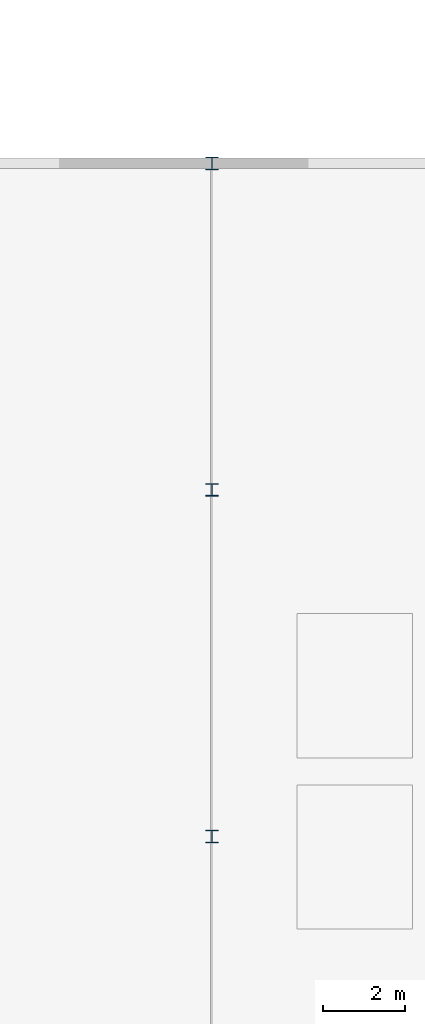
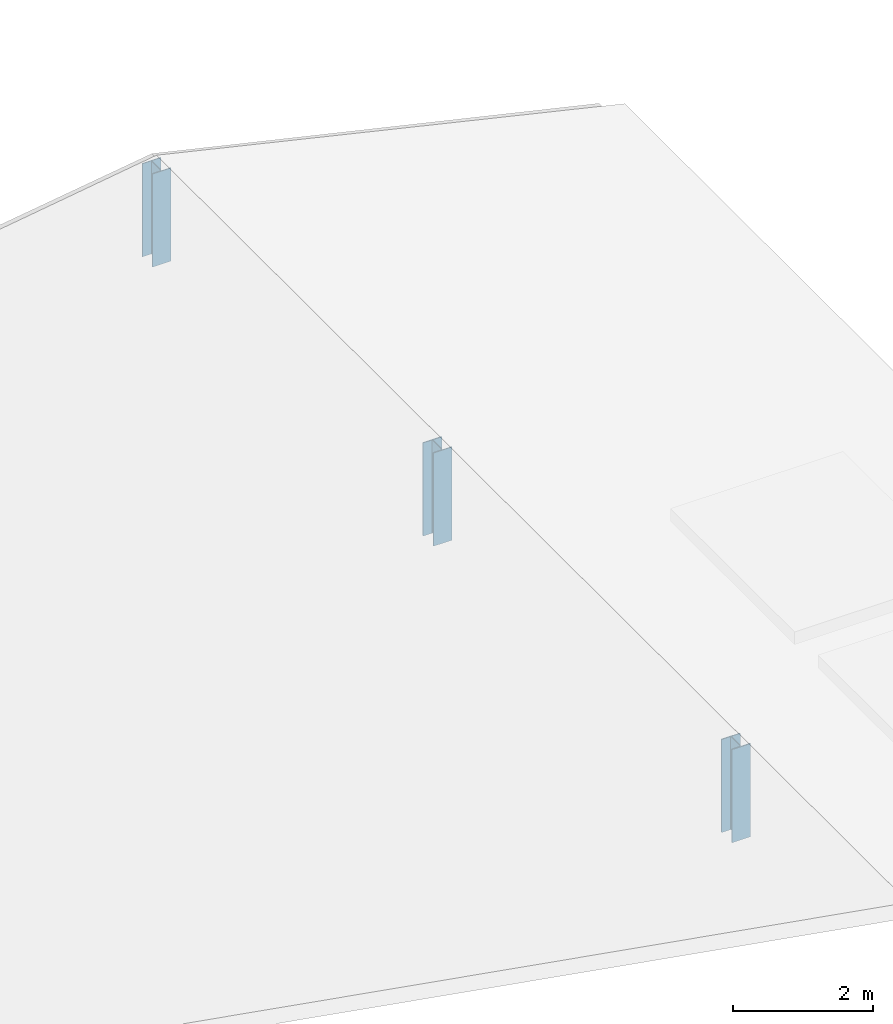
# One storey, part 2 of 27: 3 columns.
"""IFC4 building model written with IfcOpenShell, lengths in metres."""

from ifc_helpers import new_model, si_unit, direction, frame, origin, origin_2d, place, context, subcontext, project, spatial, i_section, extrude, material, material_profile, profile_set, type_object, element, save


model = new_model("IFC4")

# Units and contexts
model_context = context("Model", 3, precision=1e-05, world=origin(), true_north=direction((0.0, 1.0)))
body_context = subcontext(model_context, "Body", "Model", "MODEL_VIEW")
ifc_project = project(units=[si_unit("LENGTHUNIT", "METRE"), si_unit("AREAUNIT", "SQUARE_METRE"), si_unit("VOLUMEUNIT", "CUBIC_METRE"), si_unit("PLANEANGLEUNIT", "RADIAN"), si_unit("MASSUNIT", "GRAM", prefix="KILO")], contexts=[model_context])

# Site, building, storey
site_placement = place(None, origin())
site = spatial("IfcSite", under=ifc_project, at=site_placement, CompositionType="ELEMENT")
building_placement = place(site_placement, origin())
building = spatial("IfcBuilding", under=site, at=building_placement, Name="Cuetzalor Civic Arena", CompositionType="ELEMENT")
storey_placement = place(building_placement, frame((0.0, 0.0, 31.800048828125)))
storey = spatial("IfcBuildingStorey", under=building, at=storey_placement, Name="Roof", CompositionType="ELEMENT", Elevation=31.800048828125)

# Columns
ifc_material = material(Name="Steel S355", Category="steel")
ifc_material_profile = material_profile(ifc_material, i_section(OverallWidth=0.304931640625, OverallDepth=0.30810546875, WebThickness=0.010009765625, FlangeThickness=0.015380859375, at=origin_2d()), Name="W310x97")
ifc_profile_set = profile_set([ifc_material_profile], Name="Steel S355")
column_type = type_object("IfcColumnType", Name="SteelGalleryColumn_W310", PredefinedType="COLUMN", material=ifc_profile_set)
for number, where, z_axis, x_axis, name in (
    (1, (-64.0, 8.5, 0.0), (0.0, 0.0, 1.0), (1.0, 0.0, 0.0), "V4W Zinc Roof Ridge Post 6"),
    (2, (-64.0, 17.0, 0.0), (0.0, 0.0, 1.0), (1.0, 0.0, 0.0), "V4W Zinc Roof Ridge Post 7"),
    (3, (-64.0, 25.0, 0.0), (0.0, 0.0, 1.0), (1.0, 0.0, 0.0), "V4W Zinc Roof Ridge Post 8"),
):
    element("IfcColumn", number, at=place(storey_placement, frame(where, z_axis=z_axis, x_axis=x_axis)), inside=storey, type_object=column_type, Name=name, PredefinedType="COLUMN", context=body_context, shape_type="SweptSolid", body=[
        extrude(i_section(OverallWidth=0.304931640625, OverallDepth=0.30810546875, WebThickness=0.010009765625, FlangeThickness=0.015380859375, at=origin_2d()), origin(), (0.0, 0.0, 1.0), 1.619873046875),
    ])

save(model, "model.ifc")
